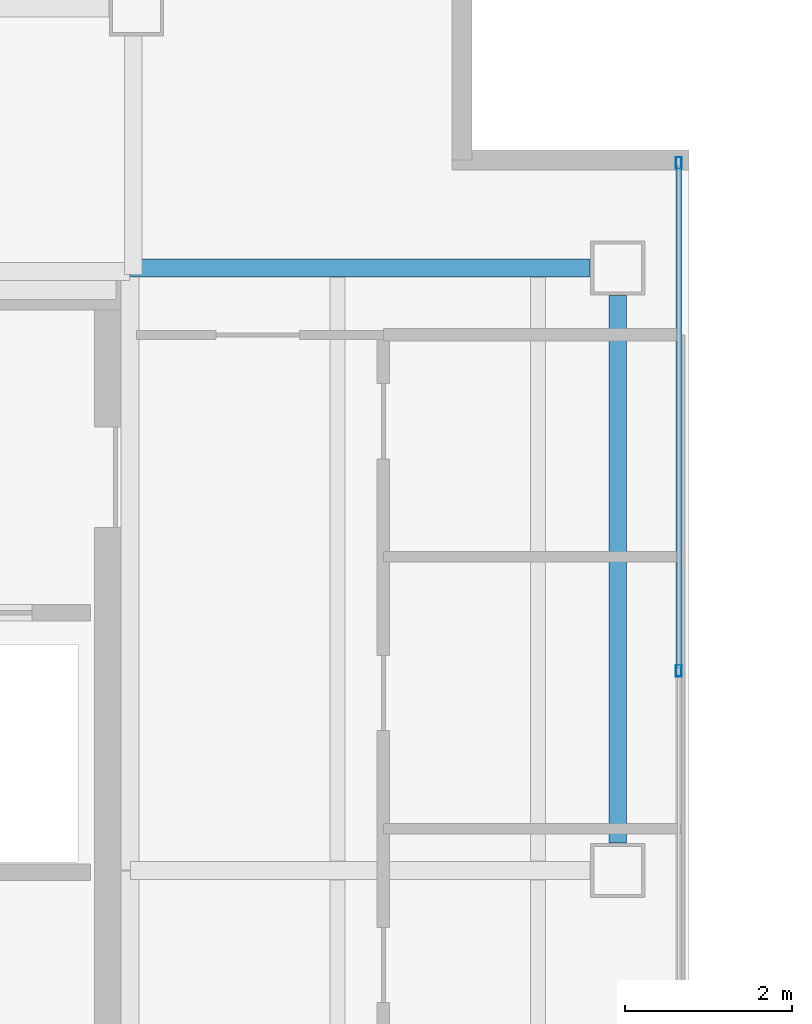
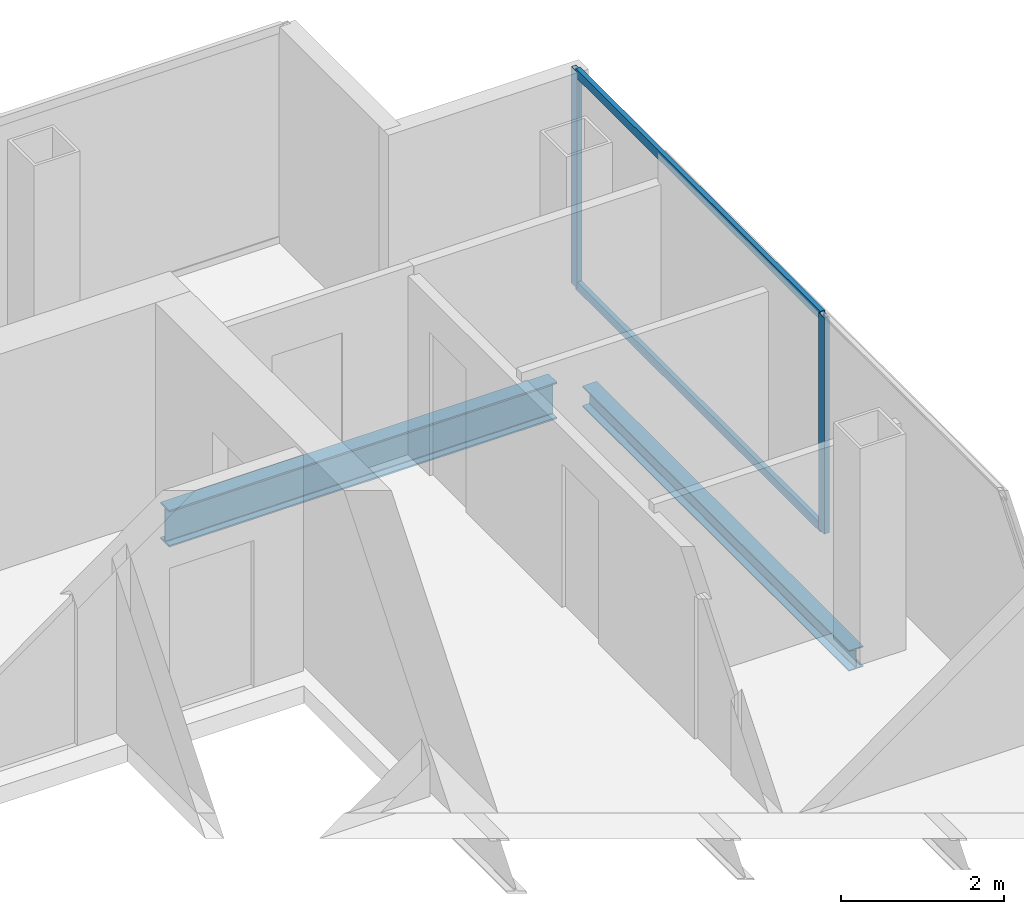
# One storey, part 11 of 23: 4 members, 2 beams, 1 element without a shape of its own.
"""IFC4 building model written with IfcOpenShell, lengths in metres."""

from ifc_helpers import new_model, si_unit, direction, frame, origin, origin_2d, place, context, subcontext, project, spatial, hollow_rectangle, i_section, extrude, material, material_profile, profile_set, type_object, element, aggregate, save


model = new_model("IFC4")

# Units and contexts
model_context = context("Model", 3, precision=1e-05, world=origin(), true_north=direction((0.0, 1.0)))
body_context = subcontext(model_context, "Body", "Model", "MODEL_VIEW")
ifc_project = project(units=[si_unit("LENGTHUNIT", "METRE"), si_unit("AREAUNIT", "SQUARE_METRE"), si_unit("VOLUMEUNIT", "CUBIC_METRE"), si_unit("PLANEANGLEUNIT", "RADIAN"), si_unit("MASSUNIT", "GRAM", prefix="KILO")], contexts=[model_context])

# Site, building, storey
site_placement = place(None, origin())
site = spatial("IfcSite", under=ifc_project, at=site_placement, CompositionType="ELEMENT")
building_placement = place(site_placement, origin())
building = spatial("IfcBuilding", under=site, at=building_placement, Name="Cobrela Telecom Tower", CompositionType="ELEMENT")
storey_placement = place(building_placement, frame((0.0, 0.0, 269.14990234375)))
storey = spatial("IfcBuildingStorey", under=building, at=storey_placement, Name="L70", CompositionType="ELEMENT", Elevation=269.14990234375)

# Beams
ifc_material_1 = material(Name="Steel ASTM A992 Grade 50", Category="steel")
ifc_material_profile_1 = material_profile(ifc_material_1, i_section(OverallWidth=0.212890625, OverallDepth=0.549072265625, WebThickness=0.0146484375, FlangeThickness=0.023681640625, FilletRadius=0.013916015625, at=origin_2d()), Name="W21X93")
ifc_profile_set_1 = profile_set([ifc_material_profile_1], Name="Steel ASTM A992 Grade 50")
beam_type_1 = type_object("IfcBeamType", Name="BM-GIRD-08", PredefinedType="USERDEFINED", material=ifc_profile_set_1)
beam_1_placement = place(storey_placement, frame((14.324951171875, 36.0, -0.534423828125), z_axis=(1.0, 0.0, 0.0), x_axis=(0.0, 1.0, 0.0)))
element("IfcBeam", 1, at=beam_1_placement, inside=storey, type_object=beam_type_1, Name="L70 Primary Girder X18", ObjectType="GIRDER", PredefinedType="USERDEFINED", context=body_context, shape_type="SweptSolid", body=[
    extrude(i_section(OverallWidth=0.212890625, OverallDepth=0.549072265625, WebThickness=0.0146484375, FlangeThickness=0.023681640625, FilletRadius=0.013916015625, at=origin_2d()), origin(), (0.0, 0.0, 1.0), 5.4951171875),
])
ifc_material_profile_2 = material_profile(ifc_material_1, i_section(OverallWidth=0.205078125, OverallDepth=0.31005859375, WebThickness=0.009521484375, FlangeThickness=0.016357421875, FilletRadius=0.010986328125, at=origin_2d()), Name="W12X50")
ifc_profile_set_2 = profile_set([ifc_material_profile_2], Name="Steel ASTM A992 Grade 50")
beam_type_2 = type_object("IfcBeamType", Name="BM-SPAND-07", PredefinedType="SPANDREL", material=ifc_profile_set_2)
beam_2_placement = place(storey_placement, frame((20.14990234375, 29.1298828125, -0.414794921875), z_axis=(0.0, 1.0, 0.0), x_axis=(-1.0, 0.0, 0.0)))
element("IfcBeam", 2, at=beam_2_placement, inside=storey, type_object=beam_type_2, Name="L70 Perimeter Spandrel Y26", PredefinedType="SPANDREL", context=body_context, shape_type="SweptSolid", body=[
    extrude(i_section(OverallWidth=0.205078125, OverallDepth=0.31005859375, WebThickness=0.009521484375, FlangeThickness=0.016357421875, FilletRadius=0.010986328125, at=origin_2d()), origin(), (0.0, 0.0, 1.0), 6.5400390625),
])

# Curtain wall, members
ifc_material_2 = material(Name="Anodized Bronze Aluminium 6063-T6", Category="aluminium")
curtain_wall_type = type_object("IfcCurtainWallType", Name="CW-SYS-OFF-HI", PredefinedType="USERDEFINED", material=ifc_material_2)
curtain_wall_placement = place(storey_placement, origin())
curtain_wall = element("IfcCurtainWall", 3, at=curtain_wall_placement, inside=storey, type_object=curtain_wall_type, Name="L70 Unitised Bronze Curtain Wall 08", ObjectType="UNITISED CURTAIN WALL", PredefinedType="USERDEFINED")
ifc_material_profile_3 = material_profile(ifc_material_2, hollow_rectangle(XDim=0.070068359375, YDim=0.139892578125, WallThickness=0.00390625, at=origin_2d()), Name="ALU 70x140x4")
ifc_profile_set_3 = profile_set([ifc_material_profile_3], Name="Anodized Bronze Aluminium 6063-T6")
member_type_1 = type_object("IfcMemberType", Name="CW-SYS-OFF-HI-MUL", PredefinedType="MULLION", material=ifc_profile_set_3)
member_1_placement = place(storey_placement, frame((20.8798828125, 37.2548828125, 0.0), z_axis=(0.0, 0.0, 1.0), x_axis=(1.0, 0.0, 0.0)))
member_1 = element("IfcMember", 4, at=member_1_placement, type_object=member_type_1, Name="CW-OFF-HI mullion 1", PredefinedType="MULLION", context=body_context, shape_type="SweptSolid", body=[
    extrude(hollow_rectangle(XDim=0.070068359375, YDim=0.139892578125, WallThickness=0.00390625, at=origin_2d()), origin(), (0.0, 0.0, 1.0), 3.239990234375),
])
member_2_placement = place(storey_placement, frame((20.8798828125, 31.18505859375, 0.0), z_axis=(0.0, 0.0, 1.0), x_axis=(1.0, 0.0, 0.0)))
member_2 = element("IfcMember", 5, at=member_2_placement, type_object=member_type_1, Name="CW-OFF-HI mullion 2", PredefinedType="MULLION", context=body_context, shape_type="SweptSolid", body=[
    extrude(hollow_rectangle(XDim=0.070068359375, YDim=0.139892578125, WallThickness=0.00390625, at=origin_2d()), origin(), (0.0, 0.0, 1.0), 3.239990234375),
])
ifc_material_profile_4 = material_profile(ifc_material_2, hollow_rectangle(XDim=0.06494140625, YDim=0.1298828125, WallThickness=0.00390625, at=origin_2d()), Name="ALU 65x130x4")
ifc_profile_set_4 = profile_set([ifc_material_profile_4], Name="Anodized Bronze Aluminium 6063-T6")
member_type_2 = type_object("IfcMemberType", Name="CW-SYS-OFF-HI-TRN", PredefinedType="USERDEFINED", material=ifc_profile_set_4)
member_3_placement = place(storey_placement, frame((20.8798828125, 37.219970703125, 0.03271484375), z_axis=(0.0, -1.0, 0.0), x_axis=(1.0, 0.0, 0.0)))
member_3 = element("IfcMember", 6, at=member_3_placement, type_object=member_type_2, Name="CW-OFF-HI transom 1.1", ObjectType="TRANSOM", PredefinedType="USERDEFINED", context=body_context, shape_type="SweptSolid", body=[
    extrude(hollow_rectangle(XDim=0.06494140625, YDim=0.1298828125, WallThickness=0.00390625, at=origin_2d()), origin(), (0.0, 0.0, 1.0), 6.0),
])
member_4_placement = place(storey_placement, frame((20.8798828125, 37.219970703125, 3.20751953125), z_axis=(0.0, -1.0, 0.0), x_axis=(1.0, 0.0, 0.0)))
member_4 = element("IfcMember", 7, at=member_4_placement, type_object=member_type_2, Name="CW-OFF-HI transom 1.2", ObjectType="TRANSOM", PredefinedType="USERDEFINED", context=body_context, shape_type="SweptSolid", body=[
    extrude(hollow_rectangle(XDim=0.06494140625, YDim=0.1298828125, WallThickness=0.00390625, at=origin_2d()), origin(), (0.0, 0.0, 1.0), 6.0),
])
aggregate(curtain_wall, [member_1, member_2, member_3, member_4])

save(model, "model.ifc")
